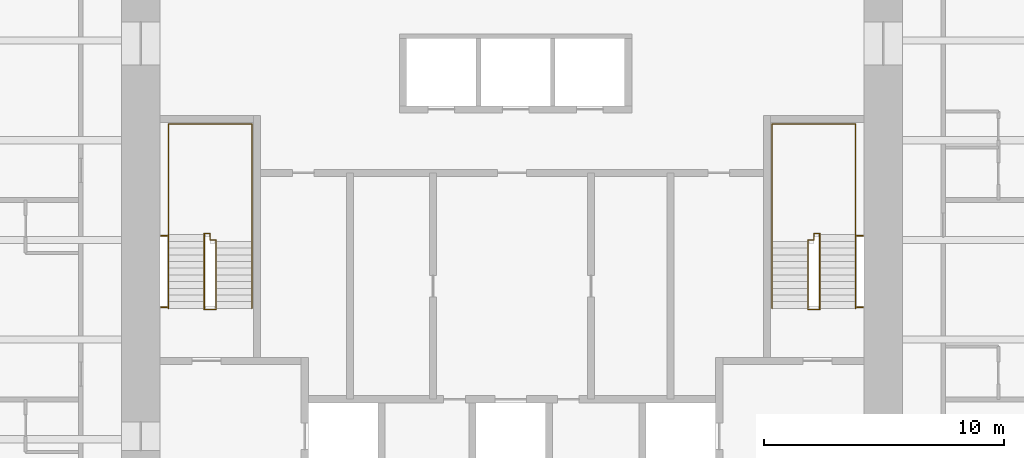
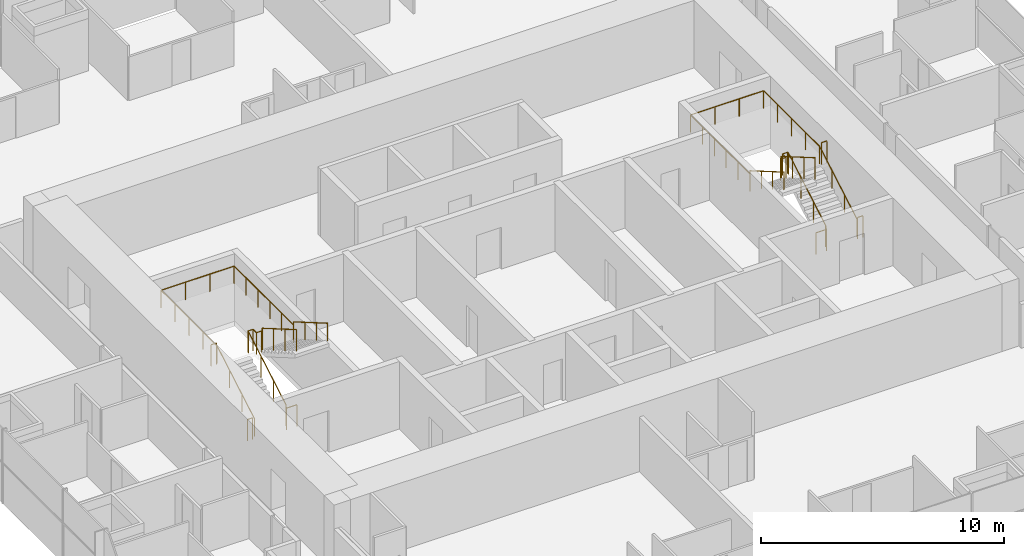
# One storey, part 13 of 13: 8 railings.
"""IFC4 building model written with IfcOpenShell, lengths in metres."""

import ifcopenshell
import ifcopenshell.guid

model = None  # the IFC model being written
_history = None  # IfcOwnerHistory: only IFC2X3 demands one
_inside = {}  # id of a spatial element -> (the spatial element, [elements in it])
_under = {}  # id of a project, library or spatial element -> (it, [spatial elements below it])
_declared = {}  # id of a project -> (the project, [libraries it declares])
_typed = {}  # id of a type object -> (the type object, [elements of that type])
_made_of = {}  # id of a material, layer set ... -> (it, [elements and type objects made of it])


def new_model(schema):
    """Start an empty IFC model of exactly this schema.

    Asked for "IFC4X3", IfcOpenShell would pick the latest addendum, in which some entities
    have other attributes; the version numbers below select the first issue.
    IFC2X3 requires an IfcOwnerHistory on every rooted entity: one is made here for all.
    """
    global model, _history
    if schema == "IFC4X3":
        model = ifcopenshell.file(schema_version=(4, 3, 0, 0))
    else:
        model = ifcopenshell.file(schema=schema)
    _inside.clear()
    _under.clear()
    _declared.clear()
    _typed.clear()
    _made_of.clear()
    _history = None
    if model.schema == "IFC2X3":
        org = make("IfcOrganization", Name="unknown")
        user = make(
            "IfcPersonAndOrganization",
            ThePerson=make("IfcPerson", FamilyName="unknown"),
            TheOrganization=org,
        )
        app = make(
            "IfcApplication",
            ApplicationDeveloper=org,
            Version="unknown",
            ApplicationFullName="unknown",
            ApplicationIdentifier="unknown",
        )
        _history = make(
            "IfcOwnerHistory",
            OwningUser=user,
            OwningApplication=app,
            ChangeAction="ADDED",
            CreationDate=0,
        )
    return model


def make(cls, **values):
    """One entity of the class cls with the attributes given. An attribute that is None is left unset."""
    return model.create_entity(
        cls, **{name: value for name, value in values.items() if value is not None}
    )


def rooted(cls, **values):
    """An entity with a GlobalId (a new one), such as an element, a storey or a relation."""
    return make(cls, GlobalId=ifcopenshell.guid.new(), OwnerHistory=_history, **values)


def si_unit(unit_type, name, prefix=None):
    """IfcSIUnit, for example si_unit("LENGTHUNIT", "METRE", prefix="MILLI")."""
    return make("IfcSIUnit", UnitType=unit_type, Prefix=prefix, Name=name)


def assignment(units):
    """IfcUnitAssignment: the units of a project."""
    return None if units is None else make("IfcUnitAssignment", Units=units)


def point(xyz):
    """IfcCartesianPoint."""
    return None if xyz is None else make("IfcCartesianPoint", Coordinates=xyz)


def direction(xyz):
    """IfcDirection."""
    return None if xyz is None else make("IfcDirection", DirectionRatios=xyz)


def frame(location, z_axis=None, x_axis=None):
    """IfcAxis2Placement3D, a coordinate frame: its origin and axes. An axis left out is left unset."""
    return make(
        "IfcAxis2Placement3D",
        Location=point(location),
        Axis=direction(z_axis),
        RefDirection=direction(x_axis),
    )


def frame_2d(location, x_axis=None):
    """IfcAxis2Placement2D, a coordinate frame in the plane: its origin and x axis."""
    return make(
        "IfcAxis2Placement2D", Location=point(location), RefDirection=direction(x_axis)
    )


def origin():
    """The frame at (0, 0, 0) with its axes left unset."""
    return frame((0.0, 0.0, 0.0))


def origin_2d():
    """The frame at (0, 0) in the plane with its x axis left unset."""
    return frame_2d((0.0, 0.0))


def place(relative_to, where):
    """IfcLocalPlacement: puts the frame where relative to a parent placement (None: the world)."""
    return make(
        "IfcLocalPlacement", PlacementRelTo=relative_to, RelativePlacement=where
    )


def context(
    kind, dimensions, precision=None, world=None, true_north=None, identifier=None
):
    """IfcGeometricRepresentationContext, for example the 3D "Model" context."""
    return make(
        "IfcGeometricRepresentationContext",
        ContextIdentifier=identifier,
        ContextType=kind,
        CoordinateSpaceDimension=dimensions,
        Precision=precision,
        WorldCoordinateSystem=world,
        TrueNorth=true_north,
    )


def subcontext(parent, identifier, kind, view, scale=None):
    """IfcGeometricRepresentationSubContext, for example "Body" below "Model"."""
    return make(
        "IfcGeometricRepresentationSubContext",
        ContextIdentifier=identifier,
        ContextType=kind,
        ParentContext=parent,
        TargetScale=scale,
        TargetView=view,
    )


def project(units=None, contexts=None):
    """IfcProject with its units and contexts."""
    return rooted(
        "IfcProject",
        Name="project",
        RepresentationContexts=contexts,
        UnitsInContext=assignment(units),
    )


def spatial(cls, under=None, at=None, **own):
    """A site, building, storey or space (cls), placed at a placement, below another one or the project."""
    s = rooted(cls, ObjectPlacement=at, **own)
    if under is not None:
        _under.setdefault(under.id(), (under, []))[1].append(s)
    return s


def profile(cls, at=None, kind="AREA", **sizes):
    """A parametric profile (cls). Its sizes go by their IFC names, for example OverallWidth=200.0."""
    return make(cls, ProfileType=kind, Position=at, **sizes)


def circle(**sizes):
    """IfcCircleProfileDef."""
    return profile("IfcCircleProfileDef", **sizes)


def extrude(swept, where, along, depth):
    """IfcExtrudedAreaSolid: the profile swept, set in the frame where, extruded along a direction by depth."""
    return make(
        "IfcExtrudedAreaSolid",
        SweptArea=swept,
        Position=where,
        ExtrudedDirection=direction(along),
        Depth=depth,
    )


def shape(context_of_items, identifier, shape_type, items):
    """IfcShapeRepresentation: the items that make up one representation, for example the "Body"."""
    return make(
        "IfcShapeRepresentation",
        ContextOfItems=context_of_items,
        RepresentationIdentifier=identifier,
        RepresentationType=shape_type,
        Items=items,
    )


def material(Name=None, Category=None):
    """IfcMaterial."""
    return make("IfcMaterial", Name=Name, Category=Category)


def made_of(thing, what):
    """Note that an element or type object is made of a material, layer set ...; save() writes the relation."""
    if what is not None:
        _made_of.setdefault(what.id(), (what, []))[1].append(thing)
    return thing


def type_object(cls, material=None, **own):
    """A type object (cls), such as IfcWallType, which elements share."""
    return made_of(rooted(cls, **own), material)


def element(
    cls,
    number,
    at=None,
    inside=None,
    cuts=None,
    type_object=None,
    material=None,
    context=None,
    identifier="Body",
    shape_type=None,
    held_by="IfcProductDefinitionShape",
    body=None,
    shapes=None,
    **own,
):
    """One element of the class cls, such as IfcWall. Its Tag is "e" and its number.

    at: its placement. inside: the storey or other place that contains it. cuts: it is an
    opening in that element (IfcRelVoidsElement). A single representation is given by context,
    identifier, shape_type and body (its items); several are given by shapes. held_by: the class
    of the entity that holds the representations. save() writes the other relations.
    """
    e = rooted(cls, Tag="e%d" % number, ObjectPlacement=at, **own)
    if body is not None:
        shapes = [shape(context, identifier, shape_type, body)]
    if shapes is not None:
        e.Representation = make(held_by, Representations=shapes)
    if inside is not None:
        _inside.setdefault(inside.id(), (inside, []))[1].append(e)
    if cuts is not None:
        rooted(
            "IfcRelVoidsElement", RelatingBuildingElement=cuts, RelatedOpeningElement=e
        )
    if type_object is not None:
        _typed.setdefault(type_object.id(), (type_object, []))[1].append(e)
    return made_of(e, material)


def aggregate(whole, parts):
    """IfcRelAggregates: a whole, such as a stair, and the parts it consists of."""
    return rooted("IfcRelAggregates", RelatingObject=whole, RelatedObjects=parts)


def save(model, path):
    """Write the relations noted so far, then the file.

    IfcRelAggregates (storeys below a building ...), IfcRelContainedInSpatialStructure (elements
    in a storey), IfcRelDefinesByType, IfcRelAssociatesMaterial and IfcRelDeclares: one each for
    every whole, place, type object, material and project.
    """
    for whole, parts in _under.values():
        aggregate(whole, parts)
    for where, things in _inside.values():
        rooted(
            "IfcRelContainedInSpatialStructure",
            RelatedElements=things,
            RelatingStructure=where,
        )
    for kind, things in _typed.values():
        rooted("IfcRelDefinesByType", RelatedObjects=things, RelatingType=kind)
    for what, things in _made_of.values():
        rooted("IfcRelAssociatesMaterial", RelatedObjects=things, RelatingMaterial=what)
    for by, libraries in _declared.values():
        rooted("IfcRelDeclares", RelatingContext=by, RelatedDefinitions=libraries)
    model.write(path)


model = new_model("IFC4")

# Units and contexts
model_context = context("Model", 3, precision=1e-05, world=origin(), true_north=direction((0.0, 1.0)))
body_context = subcontext(model_context, "Body", "Model", "MODEL_VIEW")
ifc_project = project(units=[si_unit("LENGTHUNIT", "METRE"), si_unit("AREAUNIT", "SQUARE_METRE"), si_unit("VOLUMEUNIT", "CUBIC_METRE"), si_unit("PLANEANGLEUNIT", "RADIAN"), si_unit("MASSUNIT", "GRAM", prefix="KILO")], contexts=[model_context])

# Site, building, storey
site_placement = place(None, origin())
site = spatial("IfcSite", under=ifc_project, at=site_placement, CompositionType="ELEMENT")
building_placement = place(site_placement, origin())
building = spatial("IfcBuilding", under=site, at=building_placement, Name="Khuree Lantern Residences", CompositionType="ELEMENT")
storey_placement = place(building_placement, frame((0.0, 0.0, 274.5)))
storey = spatial("IfcBuildingStorey", under=building, at=storey_placement, Name="L69", CompositionType="ELEMENT", Elevation=274.5)

# Railings
ifc_material = material(Name="Steel S355", Category="steel")
railing_type_1 = type_object("IfcRailingType", Name="STAIR GUARD G1 1100", PredefinedType="GUARDRAIL", material=ifc_material)
railing_1_placement = place(storey_placement, frame((-12.35009765625, -2.909912109375, 0.0)))
element("IfcRailing", 1, at=railing_1_placement, inside=storey, type_object=railing_type_1, Name="Stair ST1 guard", PredefinedType="GUARDRAIL", context=body_context, shape_type="SweptSolid", body=[
    extrude(circle(Radius=0.02392578125, at=origin_2d()), frame((0.0, 0.0, 1.076171875), z_axis=(-1.0, 0.0, 0.0), x_axis=(0.0, -1.0, 0.0)), (0.0, 0.0, 1.0), 0.5),
    extrude(circle(Radius=0.02392578125, at=origin_2d()), frame((-0.5, 0.0, 1.076171875), z_axis=(0.0, 0.292073035251, 0.95639601739), x_axis=(-1.0, 0.0, 0.0)), (0.0, 0.0, 1.0), 0.17041015625),
    extrude(circle(Radius=0.02392578125, at=origin_2d()), frame((-0.5, 0.0498046875, 1.2392578125), z_axis=(0.0, 0.864176135923, 0.503189433615), x_axis=(-1.0, 0.0, 0.0)), (0.0, 0.0, 1.0), 3.564208984375),
    extrude(circle(Radius=0.02392578125, at=origin_2d()), frame((-0.5, 3.1298828125, 3.03271484375), z_axis=(0.0, 1.0, 0.0), x_axis=(-1.0, 0.0, 0.0)), (0.0, 0.0, 1.0), 0.050048828125),
    extrude(circle(Radius=0.02392578125, at=origin_2d()), frame((-0.5, 3.179931640625, 3.03271484375), z_axis=(1.0, 0.0, 0.0), x_axis=(0.0, 1.0, 0.0)), (0.0, 0.0, 1.0), 0.25),
    extrude(circle(Radius=0.02392578125, at=origin_2d()), frame((-0.25, 3.179931640625, 3.03271484375), z_axis=(0.0, -1.0, 0.0), x_axis=(1.0, 0.0, 0.0)), (0.0, 0.0, 1.0), 0.280029296875),
    extrude(circle(Radius=0.02392578125, at=origin_2d()), frame((-0.25, 2.89990234375, 3.03271484375), z_axis=(1.0, 0.0, 0.0), x_axis=(0.0, 1.0, 0.0)), (0.0, 0.0, 1.0), 0.25),
    extrude(circle(Radius=0.02392578125, at=origin_2d()), frame((0.0, 2.89990234375, 3.03271484375), z_axis=(0.0, -0.293381807449, 0.955995353053), x_axis=(1.0, 0.0, 0.0)), (0.0, 0.0, 1.0), 0.170654296875),
    extrude(circle(Radius=0.02392578125, at=origin_2d()), frame((0.0, 2.849853515625, 3.19580078125), z_axis=(0.0, -0.864180358799, 0.503182181189), x_axis=(1.0, 0.0, 0.0)), (0.0, 0.0, 1.0), 3.240234375),
    extrude(circle(Radius=0.02099609375, at=origin_2d()), origin(), (0.0, 0.0, 1.0), 1.052001953125),
    extrude(circle(Radius=0.02099609375, at=origin_2d()), frame((-0.5, 0.0, 0.0)), (0.0, 0.0, 1.0), 1.052001953125),
    extrude(circle(Radius=0.02099609375, at=origin_2d()), frame((-0.5, 0.0498046875, 0.1630859375)), (0.0, 0.0, 1.0), 1.052001953125),
    extrude(circle(Radius=0.02099609375, at=origin_2d()), frame((-0.5, 1.076416015625, 0.760986328125)), (0.0, 0.0, 1.0), 1.052001953125),
    extrude(circle(Radius=0.02099609375, at=origin_2d()), frame((-0.5, 2.103271484375, 1.358642578125)), (0.0, 0.0, 1.0), 1.052001953125),
    extrude(circle(Radius=0.02099609375, at=origin_2d()), frame((-0.5, 3.1298828125, 1.95654296875)), (0.0, 0.0, 1.0), 1.052001953125),
    extrude(circle(Radius=0.02099609375, at=origin_2d()), frame((-0.5, 3.179931640625, 1.95654296875)), (0.0, 0.0, 1.0), 1.052001953125),
    extrude(circle(Radius=0.02099609375, at=origin_2d()), frame((-0.25, 3.179931640625, 1.95654296875)), (0.0, 0.0, 1.0), 1.052001953125),
    extrude(circle(Radius=0.02099609375, at=origin_2d()), frame((-0.25, 2.89990234375, 1.95654296875)), (0.0, 0.0, 1.0), 1.052001953125),
    extrude(circle(Radius=0.02099609375, at=origin_2d()), frame((0.0, 2.89990234375, 1.95654296875)), (0.0, 0.0, 1.0), 1.052001953125),
    extrude(circle(Radius=0.02099609375, at=origin_2d()), frame((0.0, 2.849853515625, 2.11962890625)), (0.0, 0.0, 1.0), 1.052001953125),
    extrude(circle(Radius=0.02099609375, at=origin_2d()), frame((0.0, 1.91650390625, 2.6630859375)), (0.0, 0.0, 1.0), 1.052001953125),
    extrude(circle(Radius=0.02099609375, at=origin_2d()), frame((0.0, 0.983154296875, 3.20654296875)), (0.0, 0.0, 1.0), 1.052001953125),
    extrude(circle(Radius=0.02099609375, at=origin_2d()), frame((0.0, 0.0498046875, 3.75)), (0.0, 0.0, 1.0), 1.052001953125),
])
for number, where, name in (
    (2, (-14.64990234375, -2.81005859375, 0.0), "Stair ST1 landing slot guard"),
    (3, (-14.64990234375, 0.169921875, 1.95654296875), "Stair ST1 landing slot guard"),
):
    element("IfcRailing", number, at=place(storey_placement, frame(where)), inside=storey, type_object=railing_type_1, Name=name, PredefinedType="GUARDRAIL", context=body_context, shape_type="SweptSolid", body=[
        extrude(circle(Radius=0.02392578125, at=origin_2d()), frame((0.0, 0.0, 1.076171875), z_axis=(1.0, 0.0, 0.0), x_axis=(0.0, 1.0, 0.0)), (0.0, 0.0, 1.0), 0.25),
        extrude(circle(Radius=0.02099609375, at=origin_2d()), origin(), (0.0, 0.0, 1.0), 1.052001953125),
        extrude(circle(Radius=0.02099609375, at=origin_2d()), frame((0.25, 0.0, 0.0)), (0.0, 0.0, 1.0), 1.052001953125),
    ])
railing_2_placement = place(storey_placement, frame((12.35009765625, -2.909912109375, 0.0)))
element("IfcRailing", 4, at=railing_2_placement, inside=storey, type_object=railing_type_1, Name="Stair ST2 guard", PredefinedType="GUARDRAIL", context=body_context, shape_type="SweptSolid", body=[
    extrude(circle(Radius=0.02392578125, at=origin_2d()), frame((0.0, 0.0, 1.076171875), z_axis=(1.0, 0.0, 0.0), x_axis=(0.0, 1.0, 0.0)), (0.0, 0.0, 1.0), 0.5),
    extrude(circle(Radius=0.02392578125, at=origin_2d()), frame((0.5, 0.0, 1.076171875), z_axis=(0.0, 0.292073035251, 0.95639601739), x_axis=(-1.0, 0.0, 0.0)), (0.0, 0.0, 1.0), 0.17041015625),
    extrude(circle(Radius=0.02392578125, at=origin_2d()), frame((0.5, 0.0498046875, 1.2392578125), z_axis=(0.0, 0.864176135923, 0.503189433615), x_axis=(-1.0, 0.0, 0.0)), (0.0, 0.0, 1.0), 3.564208984375),
    extrude(circle(Radius=0.02392578125, at=origin_2d()), frame((0.5, 3.1298828125, 3.03271484375), z_axis=(0.0, 1.0, 0.0), x_axis=(-1.0, 0.0, 0.0)), (0.0, 0.0, 1.0), 0.050048828125),
    extrude(circle(Radius=0.02392578125, at=origin_2d()), frame((0.5, 3.179931640625, 3.03271484375), z_axis=(-1.0, 0.0, 0.0), x_axis=(0.0, -1.0, 0.0)), (0.0, 0.0, 1.0), 0.25),
    extrude(circle(Radius=0.02392578125, at=origin_2d()), frame((0.25, 3.179931640625, 3.03271484375), z_axis=(0.0, -1.0, 0.0), x_axis=(1.0, 0.0, 0.0)), (0.0, 0.0, 1.0), 0.280029296875),
    extrude(circle(Radius=0.02392578125, at=origin_2d()), frame((0.25, 2.89990234375, 3.03271484375), z_axis=(-1.0, 0.0, 0.0), x_axis=(0.0, -1.0, 0.0)), (0.0, 0.0, 1.0), 0.25),
    extrude(circle(Radius=0.02392578125, at=origin_2d()), frame((0.0, 2.89990234375, 3.03271484375), z_axis=(0.0, -0.293381807449, 0.955995353053), x_axis=(1.0, 0.0, 0.0)), (0.0, 0.0, 1.0), 0.170654296875),
    extrude(circle(Radius=0.02392578125, at=origin_2d()), frame((0.0, 2.849853515625, 3.19580078125), z_axis=(0.0, -0.864180358799, 0.503182181189), x_axis=(1.0, 0.0, 0.0)), (0.0, 0.0, 1.0), 3.240234375),
    extrude(circle(Radius=0.02099609375, at=origin_2d()), origin(), (0.0, 0.0, 1.0), 1.052001953125),
    extrude(circle(Radius=0.02099609375, at=origin_2d()), frame((0.5, 0.0, 0.0)), (0.0, 0.0, 1.0), 1.052001953125),
    extrude(circle(Radius=0.02099609375, at=origin_2d()), frame((0.5, 0.0498046875, 0.1630859375)), (0.0, 0.0, 1.0), 1.052001953125),
    extrude(circle(Radius=0.02099609375, at=origin_2d()), frame((0.5, 1.076416015625, 0.760986328125)), (0.0, 0.0, 1.0), 1.052001953125),
    extrude(circle(Radius=0.02099609375, at=origin_2d()), frame((0.5, 2.103271484375, 1.358642578125)), (0.0, 0.0, 1.0), 1.052001953125),
    extrude(circle(Radius=0.02099609375, at=origin_2d()), frame((0.5, 3.1298828125, 1.95654296875)), (0.0, 0.0, 1.0), 1.052001953125),
    extrude(circle(Radius=0.02099609375, at=origin_2d()), frame((0.5, 3.179931640625, 1.95654296875)), (0.0, 0.0, 1.0), 1.052001953125),
    extrude(circle(Radius=0.02099609375, at=origin_2d()), frame((0.25, 3.179931640625, 1.95654296875)), (0.0, 0.0, 1.0), 1.052001953125),
    extrude(circle(Radius=0.02099609375, at=origin_2d()), frame((0.25, 2.89990234375, 1.95654296875)), (0.0, 0.0, 1.0), 1.052001953125),
    extrude(circle(Radius=0.02099609375, at=origin_2d()), frame((0.0, 2.89990234375, 1.95654296875)), (0.0, 0.0, 1.0), 1.052001953125),
    extrude(circle(Radius=0.02099609375, at=origin_2d()), frame((0.0, 2.849853515625, 2.11962890625)), (0.0, 0.0, 1.0), 1.052001953125),
    extrude(circle(Radius=0.02099609375, at=origin_2d()), frame((0.0, 1.91650390625, 2.6630859375)), (0.0, 0.0, 1.0), 1.052001953125),
    extrude(circle(Radius=0.02099609375, at=origin_2d()), frame((0.0, 0.983154296875, 3.20654296875)), (0.0, 0.0, 1.0), 1.052001953125),
    extrude(circle(Radius=0.02099609375, at=origin_2d()), frame((0.0, 0.0498046875, 3.75)), (0.0, 0.0, 1.0), 1.052001953125),
])
for number, where, name in (
    (5, (14.64990234375, -2.81005859375, 0.0), "Stair ST2 landing slot guard"),
    (6, (14.64990234375, 0.169921875, 1.95654296875), "Stair ST2 landing slot guard"),
):
    element("IfcRailing", number, at=place(storey_placement, frame(where)), inside=storey, type_object=railing_type_1, Name=name, PredefinedType="GUARDRAIL", context=body_context, shape_type="SweptSolid", body=[
        extrude(circle(Radius=0.02392578125, at=origin_2d()), frame((0.0, 0.0, 1.076171875), z_axis=(-1.0, 0.0, 0.0), x_axis=(0.0, -1.0, 0.0)), (0.0, 0.0, 1.0), 0.25),
        extrude(circle(Radius=0.02099609375, at=origin_2d()), origin(), (0.0, 0.0, 1.0), 1.052001953125),
        extrude(circle(Radius=0.02099609375, at=origin_2d()), frame((-0.25, 0.0, 0.0)), (0.0, 0.0, 1.0), 1.052001953125),
    ])
railing_type_2 = type_object("IfcRailingType", Name="STAIR HANDRAIL H1 900", PredefinedType="HANDRAIL", material=ifc_material)
railing_3_placement = place(storey_placement, frame((-14.340087890625, -2.860107421875, 0.1630859375)))
element("IfcRailing", 7, at=railing_3_placement, inside=storey, type_object=railing_type_2, Name="Stair ST1 handrail", PredefinedType="HANDRAIL", context=body_context, shape_type="SweptSolid", body=[
    extrude(circle(Radius=0.02392578125, at=origin_2d()), frame((0.0, 0.0, 0.8759765625), z_axis=(0.0, 0.864176135923, 0.503189433615), x_axis=(-1.0, 0.0, 0.0)), (0.0, 0.0, 1.0), 3.564208984375),
    extrude(circle(Radius=0.02392578125, at=origin_2d()), frame((0.0, 3.080078125, 2.66943359375), z_axis=(0.0, 1.0, 0.0), x_axis=(-1.0, 0.0, 0.0)), (0.0, 0.0, 1.0), 4.6201171875),
    extrude(circle(Radius=0.02392578125, at=origin_2d()), frame((0.0, 7.7001953125, 2.66943359375), z_axis=(1.0, 0.0, 0.0), x_axis=(0.0, 1.0, 0.0)), (0.0, 0.0, 1.0), 3.47998046875),
    extrude(circle(Radius=0.02392578125, at=origin_2d()), frame((3.47998046875, 7.7001953125, 2.66943359375), z_axis=(0.0, -1.0, 0.0), x_axis=(1.0, 0.0, 0.0)), (0.0, 0.0, 1.0), 4.900146484375),
    extrude(circle(Radius=0.02392578125, at=origin_2d()), frame((3.47998046875, 2.800048828125, 2.66943359375), z_axis=(0.0, 0.0, 1.0), x_axis=(1.0, 0.0, 0.0)), (0.0, 0.0, 1.0), 0.1630859375),
    extrude(circle(Radius=0.02392578125, at=origin_2d()), frame((3.47998046875, 2.800048828125, 2.83251953125), z_axis=(0.0, -0.864180358799, 0.503182181189), x_axis=(1.0, 0.0, 0.0)), (0.0, 0.0, 1.0), 3.240234375),
    extrude(circle(Radius=0.02099609375, at=origin_2d()), origin(), (0.0, 0.0, 1.0), 0.851806640625),
    extrude(circle(Radius=0.02099609375, at=origin_2d()), frame((0.0, 1.026611328125, 0.597900390625)), (0.0, 0.0, 1.0), 0.851806640625),
    extrude(circle(Radius=0.02099609375, at=origin_2d()), frame((0.0, 2.053466796875, 1.195556640625)), (0.0, 0.0, 1.0), 0.851806640625),
    extrude(circle(Radius=0.02099609375, at=origin_2d()), frame((0.0, 3.080078125, 1.79345703125)), (0.0, 0.0, 1.0), 0.851806640625),
    extrude(circle(Radius=0.02099609375, at=origin_2d()), frame((0.0, 4.235107421875, 1.79345703125)), (0.0, 0.0, 1.0), 0.851806640625),
    extrude(circle(Radius=0.02099609375, at=origin_2d()), frame((0.0, 5.39013671875, 1.79345703125)), (0.0, 0.0, 1.0), 0.851806640625),
    extrude(circle(Radius=0.02099609375, at=origin_2d()), frame((0.0, 6.545166015625, 1.79345703125)), (0.0, 0.0, 1.0), 0.851806640625),
    extrude(circle(Radius=0.02099609375, at=origin_2d()), frame((0.0, 7.7001953125, 1.79345703125)), (0.0, 0.0, 1.0), 0.851806640625),
    extrude(circle(Radius=0.02099609375, at=origin_2d()), frame((1.159912109375, 7.7001953125, 1.79345703125)), (0.0, 0.0, 1.0), 0.851806640625),
    extrude(circle(Radius=0.02099609375, at=origin_2d()), frame((2.320068359375, 7.7001953125, 1.79345703125)), (0.0, 0.0, 1.0), 0.851806640625),
    extrude(circle(Radius=0.02099609375, at=origin_2d()), frame((3.47998046875, 7.7001953125, 1.79345703125)), (0.0, 0.0, 1.0), 0.851806640625),
    extrude(circle(Radius=0.02099609375, at=origin_2d()), frame((3.47998046875, 6.72021484375, 1.79345703125)), (0.0, 0.0, 1.0), 0.851806640625),
    extrude(circle(Radius=0.02099609375, at=origin_2d()), frame((3.47998046875, 5.740234375, 1.79345703125)), (0.0, 0.0, 1.0), 0.851806640625),
    extrude(circle(Radius=0.02099609375, at=origin_2d()), frame((3.47998046875, 4.760009765625, 1.79345703125)), (0.0, 0.0, 1.0), 0.851806640625),
    extrude(circle(Radius=0.02099609375, at=origin_2d()), frame((3.47998046875, 3.780029296875, 1.79345703125)), (0.0, 0.0, 1.0), 0.851806640625),
    extrude(circle(Radius=0.02099609375, at=origin_2d()), frame((3.47998046875, 2.800048828125, 1.79345703125)), (0.0, 0.0, 1.0), 0.851806640625),
    extrude(circle(Radius=0.02099609375, at=origin_2d()), frame((3.47998046875, 2.800048828125, 1.95654296875)), (0.0, 0.0, 1.0), 0.851806640625),
    extrude(circle(Radius=0.02099609375, at=origin_2d()), frame((3.47998046875, 1.86669921875, 2.5)), (0.0, 0.0, 1.0), 0.851806640625),
    extrude(circle(Radius=0.02099609375, at=origin_2d()), frame((3.47998046875, 0.933349609375, 3.04345703125)), (0.0, 0.0, 1.0), 0.851806640625),
    extrude(circle(Radius=0.02099609375, at=origin_2d()), frame((3.47998046875, 0.0, 3.5869140625)), (0.0, 0.0, 1.0), 0.851806640625),
])
railing_4_placement = place(storey_placement, frame((14.340087890625, -2.860107421875, 0.1630859375)))
element("IfcRailing", 8, at=railing_4_placement, inside=storey, type_object=railing_type_2, Name="Stair ST2 handrail", PredefinedType="HANDRAIL", context=body_context, shape_type="SweptSolid", body=[
    extrude(circle(Radius=0.02392578125, at=origin_2d()), frame((0.0, 0.0, 0.8759765625), z_axis=(0.0, 0.864176135923, 0.503189433615), x_axis=(-1.0, 0.0, 0.0)), (0.0, 0.0, 1.0), 3.564208984375),
    extrude(circle(Radius=0.02392578125, at=origin_2d()), frame((0.0, 3.080078125, 2.66943359375), z_axis=(0.0, 1.0, 0.0), x_axis=(-1.0, 0.0, 0.0)), (0.0, 0.0, 1.0), 4.6201171875),
    extrude(circle(Radius=0.02392578125, at=origin_2d()), frame((0.0, 7.7001953125, 2.66943359375), z_axis=(-1.0, 0.0, 0.0), x_axis=(0.0, -1.0, 0.0)), (0.0, 0.0, 1.0), 3.47998046875),
    extrude(circle(Radius=0.02392578125, at=origin_2d()), frame((-3.47998046875, 7.7001953125, 2.66943359375), z_axis=(0.0, -1.0, 0.0), x_axis=(1.0, 0.0, 0.0)), (0.0, 0.0, 1.0), 4.900146484375),
    extrude(circle(Radius=0.02392578125, at=origin_2d()), frame((-3.47998046875, 2.800048828125, 2.66943359375), z_axis=(0.0, 0.0, 1.0), x_axis=(1.0, 0.0, 0.0)), (0.0, 0.0, 1.0), 0.1630859375),
    extrude(circle(Radius=0.02392578125, at=origin_2d()), frame((-3.47998046875, 2.800048828125, 2.83251953125), z_axis=(0.0, -0.864180358799, 0.503182181189), x_axis=(1.0, 0.0, 0.0)), (0.0, 0.0, 1.0), 3.240234375),
    extrude(circle(Radius=0.02099609375, at=origin_2d()), origin(), (0.0, 0.0, 1.0), 0.851806640625),
    extrude(circle(Radius=0.02099609375, at=origin_2d()), frame((0.0, 1.026611328125, 0.597900390625)), (0.0, 0.0, 1.0), 0.851806640625),
    extrude(circle(Radius=0.02099609375, at=origin_2d()), frame((0.0, 2.053466796875, 1.195556640625)), (0.0, 0.0, 1.0), 0.851806640625),
    extrude(circle(Radius=0.02099609375, at=origin_2d()), frame((0.0, 3.080078125, 1.79345703125)), (0.0, 0.0, 1.0), 0.851806640625),
    extrude(circle(Radius=0.02099609375, at=origin_2d()), frame((0.0, 4.235107421875, 1.79345703125)), (0.0, 0.0, 1.0), 0.851806640625),
    extrude(circle(Radius=0.02099609375, at=origin_2d()), frame((0.0, 5.39013671875, 1.79345703125)), (0.0, 0.0, 1.0), 0.851806640625),
    extrude(circle(Radius=0.02099609375, at=origin_2d()), frame((0.0, 6.545166015625, 1.79345703125)), (0.0, 0.0, 1.0), 0.851806640625),
    extrude(circle(Radius=0.02099609375, at=origin_2d()), frame((0.0, 7.7001953125, 1.79345703125)), (0.0, 0.0, 1.0), 0.851806640625),
    extrude(circle(Radius=0.02099609375, at=origin_2d()), frame((-1.159912109375, 7.7001953125, 1.79345703125)), (0.0, 0.0, 1.0), 0.851806640625),
    extrude(circle(Radius=0.02099609375, at=origin_2d()), frame((-2.320068359375, 7.7001953125, 1.79345703125)), (0.0, 0.0, 1.0), 0.851806640625),
    extrude(circle(Radius=0.02099609375, at=origin_2d()), frame((-3.47998046875, 7.7001953125, 1.79345703125)), (0.0, 0.0, 1.0), 0.851806640625),
    extrude(circle(Radius=0.02099609375, at=origin_2d()), frame((-3.47998046875, 6.72021484375, 1.79345703125)), (0.0, 0.0, 1.0), 0.851806640625),
    extrude(circle(Radius=0.02099609375, at=origin_2d()), frame((-3.47998046875, 5.740234375, 1.79345703125)), (0.0, 0.0, 1.0), 0.851806640625),
    extrude(circle(Radius=0.02099609375, at=origin_2d()), frame((-3.47998046875, 4.760009765625, 1.79345703125)), (0.0, 0.0, 1.0), 0.851806640625),
    extrude(circle(Radius=0.02099609375, at=origin_2d()), frame((-3.47998046875, 3.780029296875, 1.79345703125)), (0.0, 0.0, 1.0), 0.851806640625),
    extrude(circle(Radius=0.02099609375, at=origin_2d()), frame((-3.47998046875, 2.800048828125, 1.79345703125)), (0.0, 0.0, 1.0), 0.851806640625),
    extrude(circle(Radius=0.02099609375, at=origin_2d()), frame((-3.47998046875, 2.800048828125, 1.95654296875)), (0.0, 0.0, 1.0), 0.851806640625),
    extrude(circle(Radius=0.02099609375, at=origin_2d()), frame((-3.47998046875, 1.86669921875, 2.5)), (0.0, 0.0, 1.0), 0.851806640625),
    extrude(circle(Radius=0.02099609375, at=origin_2d()), frame((-3.47998046875, 0.933349609375, 3.04345703125)), (0.0, 0.0, 1.0), 0.851806640625),
    extrude(circle(Radius=0.02099609375, at=origin_2d()), frame((-3.47998046875, 0.0, 3.5869140625)), (0.0, 0.0, 1.0), 0.851806640625),
])

save(model, "model.ifc")
